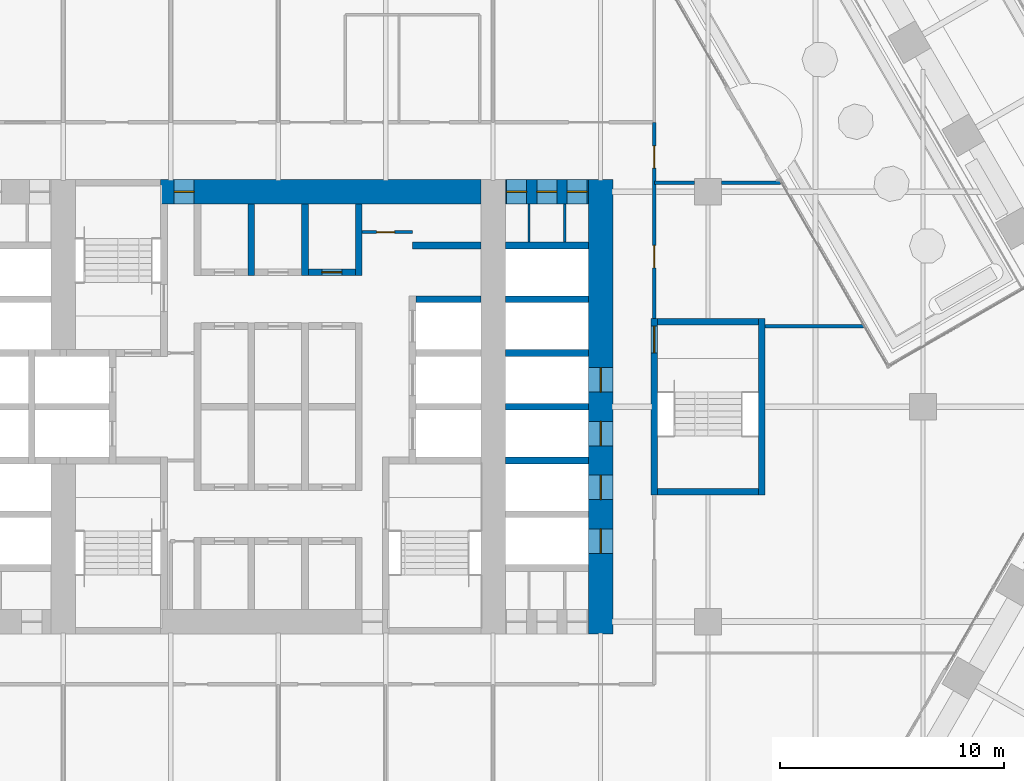
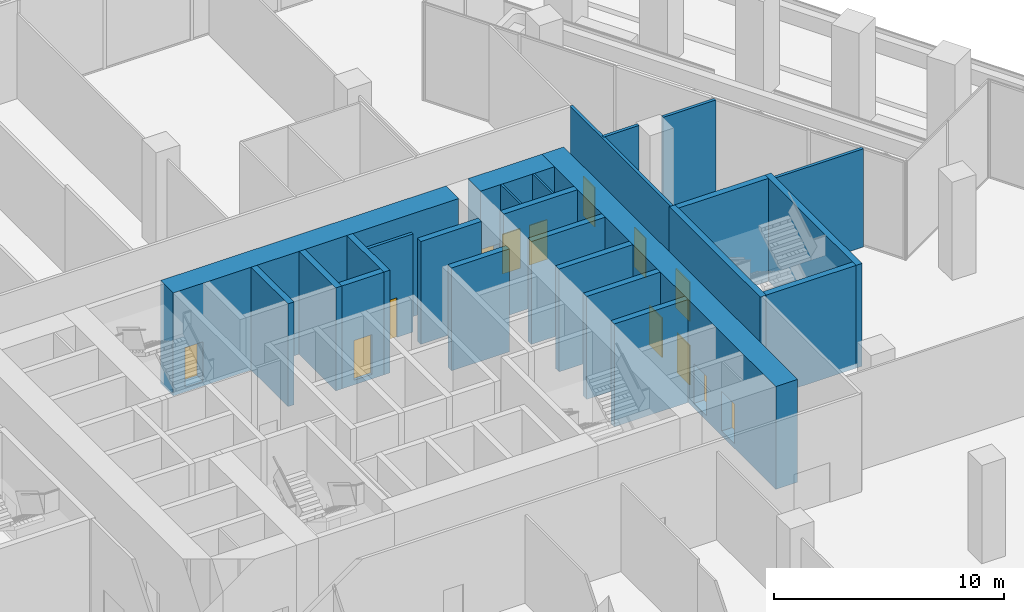
# One storey, part 23 of 32: 25 walls, 13 doors, 13 openings.
"""IFC4 building model written with IfcOpenShell, lengths in metres."""

from ifc_helpers import new_model, si_unit, direction, frame, frame_2d, origin, place, context, subcontext, project, spatial, rectangle, extrude, material, layer, layer_set, type_object, element, fill, save


model = new_model("IFC4")

# Units and contexts
model_context = context("Model", 3, precision=1e-05, world=origin(), true_north=direction((0.0, 1.0)))
body_context = subcontext(model_context, "Body", "Model", "MODEL_VIEW")
ifc_project = project(units=[si_unit("LENGTHUNIT", "METRE"), si_unit("AREAUNIT", "SQUARE_METRE"), si_unit("VOLUMEUNIT", "CUBIC_METRE"), si_unit("PLANEANGLEUNIT", "RADIAN"), si_unit("MASSUNIT", "GRAM", prefix="KILO")], contexts=[model_context])

# Site, building, storey
site_placement = place(None, origin())
site = spatial("IfcSite", under=ifc_project, at=site_placement, CompositionType="ELEMENT")
building_placement = place(site_placement, origin())
building = spatial("IfcBuilding", under=site, at=building_placement, Name="Kolab Exchange Tower", CompositionType="ELEMENT")
storey_placement = place(building_placement, frame((0.0, 0.0, 60.89990234375)))
storey = spatial("IfcBuildingStorey", under=building, at=storey_placement, Name="L11", CompositionType="ELEMENT", Elevation=60.89990234375)

# Wall, opening, door
ifc_material_1 = material(Name="Concrete C80/95", Category="concrete")
ifc_layer_1 = layer(ifc_material_1, 1.10009765625)
ifc_layer_set_1 = layer_set([ifc_layer_1], Name="Concrete C80/95")
wall_type_1 = type_object("IfcWallType", Name="CORE WALL 1100 C80/95", PredefinedType="SHEAR", material=ifc_layer_set_1)
wall_1_placement = place(storey_placement, frame((-5.25, 9.60009765625, -0.25), z_axis=(0.0, 0.0, 1.0), x_axis=(1.0, 0.0, 0.0)))
wall_1 = element("IfcWall", 1, at=wall_1_placement, inside=storey, type_object=wall_type_1, Name="wall/L11/core/052", PredefinedType="SHEAR", context=body_context, shape_type="SweptSolid", body=[
    extrude(rectangle(XDim=14.300048828125, YDim=1.10009765625, at=frame_2d((7.14990234375, 0.0))), origin(), (0.0, 0.0, 1.0), 5.4501953125),
])
opening_1_placement = place(wall_1_placement, frame((0.60009765625, 0.0, 0.25)))
opening_1 = element("IfcOpeningElement", 2, at=opening_1_placement, cuts=wall_1, Name="Opening D6-133", PredefinedType="OPENING", context=body_context, shape_type="SweptSolid", body=[
    extrude(rectangle(XDim=0.89990234375, YDim=2.10009765625, at=frame_2d((0.449951171875, 1.050048828125))), frame((0.0, 0.56005859375, 0.0), z_axis=(0.0, -1.0, 0.0), x_axis=(1.0, 0.0, 0.0)), (0.0, 0.0, 1.0), 1.1201171875),
])
ifc_material_2 = material(Name="Steel S235", Category="steel")
door_type_1 = type_object("IfcDoorType", Name="CORE DOOR 900 EI 120", OperationType="SINGLE_SWING_LEFT", PredefinedType="DOOR", material=ifc_material_2)
door_1_placement = place(opening_1_placement, frame((0.89990234375, 0.0, 0.0), z_axis=(0.0, 0.0, 1.0), x_axis=(-1.0, 0.0, 0.0)))
door_1 = element("IfcDoor", 3, at=door_1_placement, inside=storey, type_object=door_type_1, Name="Core lobby door", OperationType="SINGLE_SWING_RIGHT", OverallHeight=2.10009765625, OverallWidth=0.89990234375, PredefinedType="DOOR", context=body_context, shape_type="SweptSolid", body=[
    extrude(rectangle(XDim=0.89990234375, YDim=2.10009765625, at=frame_2d((0.449951171875, 1.050048828125))), frame((0.0, 0.02490234375, 0.0), z_axis=(0.0, -1.0, 0.0), x_axis=(1.0, 0.0, 0.0)), (0.0, 0.0, 1.0), 0.050048828125),
])
fill(opening_1, door_1)

# Wall, openings, doors
wall_2_placement = place(storey_placement, frame((10.14990234375, 9.60009765625, -0.25), z_axis=(0.0, 0.0, 1.0), x_axis=(1.0, 0.0, 0.0)))
wall_2 = element("IfcWall", 4, at=wall_2_placement, inside=storey, type_object=wall_type_1, Name="wall/L11/core/053", PredefinedType="SHEAR", context=body_context, shape_type="SweptSolid", body=[
    extrude(rectangle(XDim=3.7001953125, YDim=1.10009765625, at=frame_2d((1.85009765625, 0.0))), origin(), (0.0, 0.0, 1.0), 5.4501953125),
])
opening_2_placement = place(wall_2_placement, frame((0.050048828125, 0.0, 0.25)))
opening_2 = element("IfcOpeningElement", 5, at=opening_2_placement, cuts=wall_2, Name="Opening D6-143", PredefinedType="OPENING", context=body_context, shape_type="SweptSolid", body=[
    extrude(rectangle(XDim=0.89990234375, YDim=2.10009765625, at=frame_2d((0.449951171875, 1.050048828125))), frame((0.0, 0.56005859375, 0.0), z_axis=(0.0, -1.0, 0.0), x_axis=(1.0, 0.0, 0.0)), (0.0, 0.0, 1.0), 1.1201171875),
])
opening_3_placement = place(wall_2_placement, frame((1.39990234375, 0.0, 0.25)))
opening_3 = element("IfcOpeningElement", 6, at=opening_3_placement, cuts=wall_2, Name="Opening D6-144", PredefinedType="OPENING", context=body_context, shape_type="SweptSolid", body=[
    extrude(rectangle(XDim=0.89990234375, YDim=2.10009765625, at=frame_2d((0.449951171875, 1.050048828125))), frame((0.0, 0.56005859375, 0.0), z_axis=(0.0, -1.0, 0.0), x_axis=(1.0, 0.0, 0.0)), (0.0, 0.0, 1.0), 1.1201171875),
])
opening_4_placement = place(wall_2_placement, frame((2.75, 0.0, 0.25)))
opening_4 = element("IfcOpeningElement", 7, at=opening_4_placement, cuts=wall_2, Name="Opening D6-145", PredefinedType="OPENING", context=body_context, shape_type="SweptSolid", body=[
    extrude(rectangle(XDim=0.89990234375, YDim=2.10009765625, at=frame_2d((0.449951171875, 1.050048828125))), frame((0.0, 0.56005859375, 0.0), z_axis=(0.0, -1.0, 0.0), x_axis=(1.0, 0.0, 0.0)), (0.0, 0.0, 1.0), 1.1201171875),
])
door_2_placement = place(opening_2_placement, frame((0.89990234375, 0.0, 0.0), z_axis=(0.0, 0.0, 1.0), x_axis=(-1.0, 0.0, 0.0)))
door_2 = element("IfcDoor", 8, at=door_2_placement, inside=storey, type_object=door_type_1, Name="Service room door", OperationType="SINGLE_SWING_RIGHT", OverallHeight=2.10009765625, OverallWidth=0.89990234375, PredefinedType="DOOR", context=body_context, shape_type="SweptSolid", body=[
    extrude(rectangle(XDim=0.89990234375, YDim=2.10009765625, at=frame_2d((0.449951171875, 1.050048828125))), frame((0.0, 0.02490234375, 0.0), z_axis=(0.0, -1.0, 0.0), x_axis=(1.0, 0.0, 0.0)), (0.0, 0.0, 1.0), 0.050048828125),
])
fill(opening_2, door_2)
door_3_placement = place(opening_3_placement, frame((0.89990234375, 0.0, 0.0), z_axis=(0.0, 0.0, 1.0), x_axis=(-1.0, 0.0, 0.0)))
door_3 = element("IfcDoor", 9, at=door_3_placement, inside=storey, type_object=door_type_1, Name="Service room door", OperationType="SINGLE_SWING_LEFT", OverallHeight=2.10009765625, OverallWidth=0.89990234375, PredefinedType="DOOR", context=body_context, shape_type="SweptSolid", body=[
    extrude(rectangle(XDim=0.89990234375, YDim=2.10009765625, at=frame_2d((0.449951171875, 1.050048828125))), frame((0.0, 0.02490234375, 0.0), z_axis=(0.0, -1.0, 0.0), x_axis=(1.0, 0.0, 0.0)), (0.0, 0.0, 1.0), 0.050048828125),
])
fill(opening_3, door_3)
door_4_placement = place(opening_4_placement, frame((0.89990234375, 0.0, 0.0), z_axis=(0.0, 0.0, 1.0), x_axis=(-1.0, 0.0, 0.0)))
door_4 = element("IfcDoor", 10, at=door_4_placement, inside=storey, type_object=door_type_1, Name="Service room door", OperationType="SINGLE_SWING_LEFT", OverallHeight=2.10009765625, OverallWidth=0.89990234375, PredefinedType="DOOR", context=body_context, shape_type="SweptSolid", body=[
    extrude(rectangle(XDim=0.89990234375, YDim=2.10009765625, at=frame_2d((0.449951171875, 1.050048828125))), frame((0.0, 0.02490234375, 0.0), z_axis=(0.0, -1.0, 0.0), x_axis=(1.0, 0.0, 0.0)), (0.0, 0.0, 1.0), 0.050048828125),
])
fill(opening_4, door_4)

wall_3_placement = place(storey_placement, frame((14.39990234375, -10.14990234375, -0.25), z_axis=(0.0, 0.0, 1.0), x_axis=(0.0, 1.0, 0.0)))
wall_3 = element("IfcWall", 11, at=wall_3_placement, inside=storey, type_object=wall_type_1, Name="wall/L11/core/081", PredefinedType="SHEAR", context=body_context, shape_type="SweptSolid", body=[
    extrude(rectangle(XDim=20.2998046875, YDim=1.10009765625, at=frame_2d((10.14990234375, 0.0))), origin(), (0.0, 0.0, 1.0), 5.4501953125),
])
opening_5_placement = place(wall_3_placement, frame((3.60009765625, 0.0, 0.25)))
opening_5 = element("IfcOpeningElement", 12, at=opening_5_placement, cuts=wall_3, Name="Opening LD1-045", PredefinedType="OPENING", context=body_context, shape_type="SweptSolid", body=[
    extrude(rectangle(XDim=1.10009765625, YDim=2.10009765625, at=frame_2d((0.550048828125, 1.050048828125))), frame((0.0, 0.56005859375, 0.0), z_axis=(0.0, -1.0, 0.0), x_axis=(1.0, 0.0, 0.0)), (0.0, 0.0, 1.0), 1.1201171875),
])
opening_6_placement = place(wall_3_placement, frame((6.0, 0.0, 0.25)))
opening_6 = element("IfcOpeningElement", 13, at=opening_6_placement, cuts=wall_3, Name="Opening LD1-046", PredefinedType="OPENING", context=body_context, shape_type="SweptSolid", body=[
    extrude(rectangle(XDim=1.10009765625, YDim=2.10009765625, at=frame_2d((0.550048828125, 1.050048828125))), frame((0.0, 0.56005859375, 0.0), z_axis=(0.0, -1.0, 0.0), x_axis=(1.0, 0.0, 0.0)), (0.0, 0.0, 1.0), 1.1201171875),
])
opening_7_placement = place(wall_3_placement, frame((8.39990234375, 0.0, 0.25)))
opening_7 = element("IfcOpeningElement", 14, at=opening_7_placement, cuts=wall_3, Name="Opening LD1-047", PredefinedType="OPENING", context=body_context, shape_type="SweptSolid", body=[
    extrude(rectangle(XDim=1.10009765625, YDim=2.10009765625, at=frame_2d((0.550048828125, 1.050048828125))), frame((0.0, 0.56005859375, 0.0), z_axis=(0.0, -1.0, 0.0), x_axis=(1.0, 0.0, 0.0)), (0.0, 0.0, 1.0), 1.1201171875),
])
opening_8_placement = place(wall_3_placement, frame((10.800048828125, 0.0, 0.25)))
opening_8 = element("IfcOpeningElement", 15, at=opening_8_placement, cuts=wall_3, Name="Opening LD1-048", PredefinedType="OPENING", context=body_context, shape_type="SweptSolid", body=[
    extrude(rectangle(XDim=1.10009765625, YDim=2.10009765625, at=frame_2d((0.550048828125, 1.050048828125))), frame((0.0, 0.56005859375, 0.0), z_axis=(0.0, -1.0, 0.0), x_axis=(1.0, 0.0, 0.0)), (0.0, 0.0, 1.0), 1.1201171875),
])
ifc_material_3 = material(Name="Stainless steel 316", Category="steel")
door_type_2 = type_object("IfcDoorType", Name="LANDING DOOR 1100 PASSENGER", OperationType="DOUBLE_DOOR_SLIDING", PredefinedType="DOOR", material=ifc_material_3)
door_5_placement = place(opening_5_placement, origin())
door_5 = element("IfcDoor", 16, at=door_5_placement, inside=storey, type_object=door_type_2, Name="Landing door LR1", OperationType="DOUBLE_DOOR_SLIDING", OverallHeight=2.10009765625, OverallWidth=1.10009765625, PredefinedType="DOOR", context=body_context, shape_type="SweptSolid", body=[
    extrude(rectangle(XDim=1.10009765625, YDim=2.10009765625, at=frame_2d((0.550048828125, 1.050048828125))), frame((0.0, 0.02490234375, 0.0), z_axis=(0.0, -1.0, 0.0), x_axis=(1.0, 0.0, 0.0)), (0.0, 0.0, 1.0), 0.050048828125),
])
fill(opening_5, door_5)
door_6_placement = place(opening_6_placement, origin())
door_6 = element("IfcDoor", 17, at=door_6_placement, inside=storey, type_object=door_type_2, Name="Landing door LR2", OperationType="DOUBLE_DOOR_SLIDING", OverallHeight=2.10009765625, OverallWidth=1.10009765625, PredefinedType="DOOR", context=body_context, shape_type="SweptSolid", body=[
    extrude(rectangle(XDim=1.10009765625, YDim=2.10009765625, at=frame_2d((0.550048828125, 1.050048828125))), frame((0.0, 0.02490234375, 0.0), z_axis=(0.0, -1.0, 0.0), x_axis=(1.0, 0.0, 0.0)), (0.0, 0.0, 1.0), 0.050048828125),
])
fill(opening_6, door_6)
door_7_placement = place(opening_7_placement, origin())
door_7 = element("IfcDoor", 18, at=door_7_placement, inside=storey, type_object=door_type_2, Name="Landing door LR3", OperationType="DOUBLE_DOOR_SLIDING", OverallHeight=2.10009765625, OverallWidth=1.10009765625, PredefinedType="DOOR", context=body_context, shape_type="SweptSolid", body=[
    extrude(rectangle(XDim=1.10009765625, YDim=2.10009765625, at=frame_2d((0.550048828125, 1.050048828125))), frame((0.0, 0.02490234375, 0.0), z_axis=(0.0, -1.0, 0.0), x_axis=(1.0, 0.0, 0.0)), (0.0, 0.0, 1.0), 0.050048828125),
])
fill(opening_7, door_7)
door_8_placement = place(opening_8_placement, origin())
door_8 = element("IfcDoor", 19, at=door_8_placement, inside=storey, type_object=door_type_2, Name="Landing door LR4", OperationType="DOUBLE_DOOR_SLIDING", OverallHeight=2.10009765625, OverallWidth=1.10009765625, PredefinedType="DOOR", context=body_context, shape_type="SweptSolid", body=[
    extrude(rectangle(XDim=1.10009765625, YDim=2.10009765625, at=frame_2d((0.550048828125, 1.050048828125))), frame((0.0, 0.02490234375, 0.0), z_axis=(0.0, -1.0, 0.0), x_axis=(1.0, 0.0, 0.0)), (0.0, 0.0, 1.0), 0.050048828125),
])
fill(opening_8, door_8)

# Walls
ifc_material_4 = material(Name="Concrete C50/60", Category="concrete")
ifc_layer_2 = layer(ifc_material_4, 0.300048828125)
ifc_layer_set_2 = layer_set([ifc_layer_2], Name="Concrete C50/60")
wall_type_2 = type_object("IfcWallType", Name="LIFT SHAFT WALL 300 C50/60", PredefinedType="STANDARD", material=ifc_layer_set_2)
for number, where, z_axis, x_axis, name in (
    (20, (10.14990234375, -2.39990234375, -0.25), (0.0, 0.0, 1.0), (1.0, 0.0, 0.0), "wall/L11/core/023"),
    (21, (10.14990234375, 0.0, -0.25), (0.0, 0.0, 1.0), (1.0, 0.0, 0.0), "wall/L11/core/030"),
    (22, (10.14990234375, 2.39990234375, -0.25), (0.0, 0.0, 1.0), (1.0, 0.0, 0.0), "wall/L11/core/036"),
):
    element("IfcWall", number, at=place(storey_placement, frame(where, z_axis=z_axis, x_axis=x_axis)), inside=storey, type_object=wall_type_2, Name=name, PredefinedType="STANDARD", context=body_context, shape_type="SweptSolid", body=[
        extrude(rectangle(XDim=3.7001953125, YDim=0.300048828125, at=frame_2d((1.85009765625, 0.0))), origin(), (0.0, 0.0, 1.0), 5.4501953125),
    ])
wall_4_placement = place(storey_placement, frame((6.14990234375, 4.800048828125, -0.25), z_axis=(0.0, 0.0, 1.0), x_axis=(1.0, 0.0, 0.0)))
element("IfcWall", 23, at=wall_4_placement, inside=storey, type_object=wall_type_2, Name="wall/L11/core/043", PredefinedType="STANDARD", context=body_context, shape_type="SweptSolid", body=[
    extrude(rectangle(XDim=2.900146484375, YDim=0.300048828125, at=frame_2d((1.4501953125, 0.0))), origin(), (0.0, 0.0, 1.0), 5.4501953125),
])
wall_5_placement = place(storey_placement, frame((10.14990234375, 4.800048828125, -0.25), z_axis=(0.0, 0.0, 1.0), x_axis=(1.0, 0.0, 0.0)))
element("IfcWall", 24, at=wall_5_placement, inside=storey, type_object=wall_type_2, Name="wall/L11/core/044", PredefinedType="STANDARD", context=body_context, shape_type="SweptSolid", body=[
    extrude(rectangle(XDim=3.7001953125, YDim=0.300048828125, at=frame_2d((1.85009765625, 0.0))), origin(), (0.0, 0.0, 1.0), 5.4501953125),
])

# Wall, opening, door
wall_6_placement = place(storey_placement, frame((1.35009765625, 6.0, -0.25), z_axis=(0.0, 0.0, 1.0), x_axis=(1.0, 0.0, 0.0)))
wall_6 = element("IfcWall", 25, at=wall_6_placement, inside=storey, type_object=wall_type_2, Name="wall/L11/core/047", PredefinedType="STANDARD", context=body_context, shape_type="SweptSolid", body=[
    extrude(rectangle(XDim=2.099853515625, YDim=0.300048828125, at=frame_2d((1.0498046875, 0.0))), origin(), (0.0, 0.0, 1.0), 5.4501953125),
])
opening_9_placement = place(wall_6_placement, frame((0.60009765625, 0.0, 0.25)))
opening_9 = element("IfcOpeningElement", 26, at=opening_9_placement, cuts=wall_6, Name="Opening D6-121", PredefinedType="OPENING", context=body_context, shape_type="SweptSolid", body=[
    extrude(rectangle(XDim=0.89990234375, YDim=2.10009765625, at=frame_2d((0.449951171875, 1.050048828125))), frame((0.0, 0.16015625, 0.0), z_axis=(0.0, -1.0, 0.0), x_axis=(1.0, 0.0, 0.0)), (0.0, 0.0, 1.0), 0.320068359375),
])
door_9_placement = place(opening_9_placement, origin())
door_9 = element("IfcDoor", 27, at=door_9_placement, inside=storey, type_object=door_type_1, Name="Service room door", OperationType="SINGLE_SWING_RIGHT", OverallHeight=2.10009765625, OverallWidth=0.89990234375, PredefinedType="DOOR", context=body_context, shape_type="SweptSolid", body=[
    extrude(rectangle(XDim=0.89990234375, YDim=2.10009765625, at=frame_2d((0.449951171875, 1.050048828125))), frame((0.0, 0.02490234375, 0.0), z_axis=(0.0, -1.0, 0.0), x_axis=(1.0, 0.0, 0.0)), (0.0, 0.0, 1.0), 0.050048828125),
])
fill(opening_9, door_9)

# Walls
wall_7_placement = place(storey_placement, frame((6.0, 7.199951171875, -0.25), z_axis=(0.0, 0.0, 1.0), x_axis=(1.0, 0.0, 0.0)))
element("IfcWall", 28, at=wall_7_placement, inside=storey, type_object=wall_type_2, Name="wall/L11/core/049", PredefinedType="STANDARD", context=body_context, shape_type="SweptSolid", body=[
    extrude(rectangle(XDim=3.050048828125, YDim=0.300048828125, at=frame_2d((1.52490234375, 0.0))), origin(), (0.0, 0.0, 1.0), 5.4501953125),
])
wall_8_placement = place(storey_placement, frame((10.14990234375, 7.199951171875, -0.25), z_axis=(0.0, 0.0, 1.0), x_axis=(1.0, 0.0, 0.0)))
element("IfcWall", 29, at=wall_8_placement, inside=storey, type_object=wall_type_2, Name="wall/L11/core/050", PredefinedType="STANDARD", context=body_context, shape_type="SweptSolid", body=[
    extrude(rectangle(XDim=3.7001953125, YDim=0.300048828125, at=frame_2d((1.85009765625, 0.0))), origin(), (0.0, 0.0, 1.0), 5.4501953125),
])
for number, where, z_axis, x_axis, name in (
    (30, (-1.199951171875, 5.85009765625, -0.25), (0.0, 0.0, 1.0), (0.0, 1.0, 0.0), "wall/L11/core/071"),
    (31, (1.199951171875, 5.85009765625, -0.25), (0.0, 0.0, 1.0), (0.0, 1.0, 0.0), "wall/L11/core/074"),
    (32, (3.60009765625, 5.85009765625, -0.25), (0.0, 0.0, 1.0), (0.0, 1.0, 0.0), "wall/L11/core/077"),
):
    element("IfcWall", number, at=place(storey_placement, frame(where, z_axis=z_axis, x_axis=x_axis)), inside=storey, type_object=wall_type_2, Name=name, PredefinedType="STANDARD", context=body_context, shape_type="SweptSolid", body=[
        extrude(rectangle(XDim=3.199951171875, YDim=0.300048828125, at=frame_2d((1.60009765625, 0.0))), origin(), (0.0, 0.0, 1.0), 5.4501953125),
    ])
ifc_material_5 = material(Name="Gypsum board", Category="gypsum")
ifc_layer_3 = layer(ifc_material_5, 0.10009765625)
ifc_layer_set_3 = layer_set([ifc_layer_3], Name="Gypsum board")
wall_type_3 = type_object("IfcWallType", Name="PARTITION 100", PredefinedType="PARTITIONING", material=ifc_layer_set_3)
for number, where, z_axis, x_axis, name in (
    (33, (12.800048828125, 7.35009765625, 0.0), (0.0, 0.0, 1.0), (0.0, 1.0, 0.0), "Partition 004"),
    (34, (11.199951171875, 7.35009765625, 0.0), (0.0, 0.0, 1.0), (0.0, 1.0, 0.0), "Partition 006"),
):
    element("IfcWall", number, at=place(storey_placement, frame(where, z_axis=z_axis, x_axis=x_axis)), inside=storey, type_object=wall_type_3, Name=name, PredefinedType="PARTITIONING", context=body_context, shape_type="SweptSolid", body=[
        extrude(rectangle(XDim=1.699951171875, YDim=0.10009765625, at=frame_2d((0.85009765625, 0.0))), origin(), (0.0, 0.0, 1.0), 5.2001953125),
    ])

# Wall, openings, doors
ifc_layer_4 = layer(ifc_material_5, 0.14990234375)
ifc_layer_set_4 = layer_set([ifc_layer_4], Name="Gypsum board")
wall_type_4 = type_object("IfcWallType", Name="PARTITION 150 FIRE-RATED", PredefinedType="PARTITIONING", material=ifc_layer_set_4)
wall_9_placement = place(storey_placement, frame((16.800048828125, 3.949951171875, 0.0), z_axis=(0.0, 0.0, 1.0), x_axis=(0.0, 1.0, 0.0)))
wall_9 = element("IfcWall", 35, at=wall_9_placement, inside=storey, type_object=wall_type_4, Name="Partition 002", PredefinedType="PARTITIONING", context=body_context, shape_type="SweptSolid", body=[
    extrude(rectangle(XDim=8.75, YDim=0.14990234375, at=frame_2d((4.375, 0.0))), origin(), (0.0, 0.0, 1.0), 5.2001953125),
])
opening_10_placement = place(wall_9_placement, frame((2.25, 0.0, 0.0)))
opening_10 = element("IfcOpeningElement", 36, at=opening_10_placement, cuts=wall_9, Name="Opening D1-139", PredefinedType="OPENING", context=body_context, shape_type="SweptSolid", body=[
    extrude(rectangle(XDim=1.0, YDim=2.10009765625, at=frame_2d((0.5, 1.050048828125))), frame((0.0, 0.0849609375, 0.0), z_axis=(0.0, -1.0, 0.0), x_axis=(1.0, 0.0, 0.0)), (0.0, 0.0, 1.0), 0.169921875),
])
opening_11_placement = place(wall_9_placement, frame((6.699951171875, 0.0, 0.0)))
opening_11 = element("IfcOpeningElement", 37, at=opening_11_placement, cuts=wall_9, Name="Opening D1-140", PredefinedType="OPENING", context=body_context, shape_type="SweptSolid", body=[
    extrude(rectangle(XDim=1.0, YDim=2.10009765625, at=frame_2d((0.5, 1.050048828125))), frame((0.0, 0.0849609375, 0.0), z_axis=(0.0, -1.0, 0.0), x_axis=(1.0, 0.0, 0.0)), (0.0, 0.0, 1.0), 0.169921875),
])
door_type_3 = type_object("IfcDoorType", Name="FLUSH DOOR 1000 FD60", OperationType="SINGLE_SWING_LEFT", PredefinedType="DOOR", material=ifc_material_2)
door_10_placement = place(opening_10_placement, frame((1.0, 0.0, 0.0), z_axis=(0.0, 0.0, 1.0), x_axis=(-1.0, 0.0, 0.0)))
door_10 = element("IfcDoor", 38, at=door_10_placement, inside=storey, type_object=door_type_3, Name="Door L11-062", OperationType="SINGLE_SWING_LEFT", OverallHeight=2.10009765625, OverallWidth=1.0, PredefinedType="DOOR", context=body_context, shape_type="SweptSolid", body=[
    extrude(rectangle(XDim=1.0, YDim=2.10009765625, at=frame_2d((0.5, 1.050048828125))), frame((0.0, 0.02490234375, 0.0), z_axis=(0.0, -1.0, 0.0), x_axis=(1.0, 0.0, 0.0)), (0.0, 0.0, 1.0), 0.050048828125),
])
fill(opening_10, door_10)
door_11_placement = place(opening_11_placement, frame((1.0, 0.0, 0.0), z_axis=(0.0, 0.0, 1.0), x_axis=(-1.0, 0.0, 0.0)))
door_11 = element("IfcDoor", 39, at=door_11_placement, inside=storey, type_object=door_type_3, Name="Door L11-063", OperationType="SINGLE_SWING_LEFT", OverallHeight=2.10009765625, OverallWidth=1.0, PredefinedType="DOOR", context=body_context, shape_type="SweptSolid", body=[
    extrude(rectangle(XDim=1.0, YDim=2.10009765625, at=frame_2d((0.5, 1.050048828125))), frame((0.0, 0.02490234375, 0.0), z_axis=(0.0, -1.0, 0.0), x_axis=(1.0, 0.0, 0.0)), (0.0, 0.0, 1.0), 0.050048828125),
])
fill(opening_11, door_11)

# Wall
wall_10_placement = place(storey_placement, frame((21.75, 3.60009765625, 0.0), z_axis=(0.0, 0.0, 1.0), x_axis=(1.0, 0.0, 0.0)))
element("IfcWall", 40, at=wall_10_placement, inside=storey, type_object=wall_type_4, Name="Partition 035", PredefinedType="PARTITIONING", context=body_context, shape_type="SweptSolid", body=[
    extrude(rectangle(XDim=4.38720703125, YDim=0.14990234375, at=frame_2d((2.193603515625, 0.0))), origin(), (0.0, 0.0, 1.0), 5.2001953125),
])

# Wall, opening, door
wall_11_placement = place(storey_placement, frame((3.75, 7.800048828125, 0.0), z_axis=(0.0, 0.0, 1.0), x_axis=(1.0, 0.0, 0.0)))
wall_11 = element("IfcWall", 41, at=wall_11_placement, inside=storey, type_object=wall_type_4, Name="Partition 037", PredefinedType="PARTITIONING", context=body_context, shape_type="SweptSolid", body=[
    extrude(rectangle(XDim=2.25, YDim=0.14990234375, at=frame_2d((1.125, 0.0))), origin(), (0.0, 0.0, 1.0), 5.2001953125),
])
opening_12_placement = place(wall_11_placement, frame((0.64990234375, 0.0, 0.0)))
opening_12 = element("IfcOpeningElement", 42, at=opening_12_placement, cuts=wall_11, Name="Opening D7-012", PredefinedType="OPENING", context=body_context, shape_type="SweptSolid", body=[
    extrude(rectangle(XDim=0.800048828125, YDim=2.10009765625, at=frame_2d((0.39990234375, 1.050048828125))), frame((0.0, 0.0849609375, 0.0), z_axis=(0.0, -1.0, 0.0), x_axis=(1.0, 0.0, 0.0)), (0.0, 0.0, 1.0), 0.169921875),
])
door_type_4 = type_object("IfcDoorType", Name="FLUSH DOOR 800 FD60", OperationType="SINGLE_SWING_LEFT", PredefinedType="DOOR", material=ifc_material_2)
door_12_placement = place(opening_12_placement, origin())
door_12 = element("IfcDoor", 43, at=door_12_placement, inside=storey, type_object=door_type_4, Name="Door L11-043", OperationType="SINGLE_SWING_LEFT", OverallHeight=2.10009765625, OverallWidth=0.800048828125, PredefinedType="DOOR", context=body_context, shape_type="SweptSolid", body=[
    extrude(rectangle(XDim=0.800048828125, YDim=2.10009765625, at=frame_2d((0.39990234375, 1.050048828125))), frame((0.0, 0.02490234375, 0.0), z_axis=(0.0, -1.0, 0.0), x_axis=(1.0, 0.0, 0.0)), (0.0, 0.0, 1.0), 0.050048828125),
])
fill(opening_12, door_12)

# Walls
wall_12_placement = place(storey_placement, frame((16.800048828125, 10.0, 0.0), z_axis=(0.0, 0.0, 1.0), x_axis=(1.0, 0.0, 0.0)))
element("IfcWall", 44, at=wall_12_placement, inside=storey, type_object=wall_type_4, Name="Partition 040", PredefinedType="PARTITIONING", context=body_context, shape_type="SweptSolid", body=[
    extrude(rectangle(XDim=1.800048828125, YDim=0.14990234375, at=frame_2d((0.89990234375, 0.0))), origin(), (0.0, 0.0, 1.0), 5.2001953125),
])
wall_13_placement = place(storey_placement, frame((19.800048828125, 10.0, 0.0), z_axis=(0.0, 0.0, 1.0), x_axis=(1.0, 0.0, 0.0)))
element("IfcWall", 45, at=wall_13_placement, inside=storey, type_object=wall_type_4, Name="Partition 041", PredefinedType="PARTITIONING", context=body_context, shape_type="SweptSolid", body=[
    extrude(rectangle(XDim=2.641845703125, YDim=0.14990234375, at=frame_2d((1.32080078125, 0.0))), origin(), (0.0, 0.0, 1.0), 5.2001953125),
])
ifc_layer_5 = layer(ifc_material_4, 0.300048828125)
ifc_layer_set_5 = layer_set([ifc_layer_5], Name="Concrete C50/60")
wall_type_5 = type_object("IfcWallType", Name="STAIR ENCLOSURE WALL 300 C50/60", PredefinedType="STANDARD", material=ifc_layer_set_5)
for number, where, z_axis, x_axis, name in (
    (46, (16.949951171875, -3.800048828125, -0.25), (0.0, 0.0, 1.0), (1.0, 0.0, 0.0), "wall/L11/core/013"),
    (47, (16.949951171875, 3.800048828125, -0.25), (0.0, 0.0, 1.0), (1.0, 0.0, 0.0), "wall/L11/core/041"),
):
    element("IfcWall", number, at=place(storey_placement, frame(where, z_axis=z_axis, x_axis=x_axis)), inside=storey, type_object=wall_type_5, Name=name, PredefinedType="STANDARD", context=body_context, shape_type="SweptSolid", body=[
        extrude(rectangle(XDim=4.5, YDim=0.300048828125, at=frame_2d((2.25, 0.0))), origin(), (0.0, 0.0, 1.0), 5.4501953125),
    ])

# Wall, opening, door
wall_14_placement = place(storey_placement, frame((16.800048828125, -3.949951171875, -0.25), z_axis=(0.0, 0.0, 1.0), x_axis=(0.0, 1.0, 0.0)))
wall_14 = element("IfcWall", 48, at=wall_14_placement, inside=storey, type_object=wall_type_5, Name="wall/L11/core/082", PredefinedType="STANDARD", context=body_context, shape_type="SweptSolid", body=[
    extrude(rectangle(XDim=7.89990234375, YDim=0.300048828125, at=frame_2d((3.949951171875, 0.0))), origin(), (0.0, 0.0, 1.0), 5.4501953125),
])
opening_13_placement = place(wall_14_placement, frame((6.35009765625, 0.0, 0.25)))
opening_13 = element("IfcOpeningElement", 49, at=opening_13_placement, cuts=wall_14, Name="Opening D4-029", PredefinedType="OPENING", context=body_context, shape_type="SweptSolid", body=[
    extrude(rectangle(XDim=1.199951171875, YDim=2.10009765625, at=frame_2d((0.60009765625, 1.050048828125))), frame((0.0, 0.16015625, 0.0), z_axis=(0.0, -1.0, 0.0), x_axis=(1.0, 0.0, 0.0)), (0.0, 0.0, 1.0), 0.320068359375),
])
door_type_5 = type_object("IfcDoorType", Name="STAIR DOOR 1200 EI 120", OperationType="SINGLE_SWING_LEFT", PredefinedType="DOOR", material=ifc_material_2)
door_13_placement = place(opening_13_placement, frame((1.199951171875, 0.0, 0.0), z_axis=(0.0, 0.0, 1.0), x_axis=(-1.0, 0.0, 0.0)))
door_13 = element("IfcDoor", 50, at=door_13_placement, inside=storey, type_object=door_type_5, Name="Stair 4 door", OperationType="SINGLE_SWING_RIGHT", OverallHeight=2.10009765625, OverallWidth=1.199951171875, PredefinedType="DOOR", context=body_context, shape_type="SweptSolid", body=[
    extrude(rectangle(XDim=1.199951171875, YDim=2.10009765625, at=frame_2d((0.60009765625, 1.050048828125))), frame((0.0, 0.02490234375, 0.0), z_axis=(0.0, -1.0, 0.0), x_axis=(1.0, 0.0, 0.0)), (0.0, 0.0, 1.0), 0.050048828125),
])
fill(opening_13, door_13)

# Wall
wall_15_placement = place(storey_placement, frame((21.60009765625, -3.949951171875, -0.25), z_axis=(0.0, 0.0, 1.0), x_axis=(0.0, 1.0, 0.0)))
element("IfcWall", 51, at=wall_15_placement, inside=storey, type_object=wall_type_5, Name="wall/L11/core/083", PredefinedType="STANDARD", context=body_context, shape_type="SweptSolid", body=[
    extrude(rectangle(XDim=7.89990234375, YDim=0.300048828125, at=frame_2d((3.949951171875, 0.0))), origin(), (0.0, 0.0, 1.0), 5.4501953125),
])

save(model, "model.ifc")
